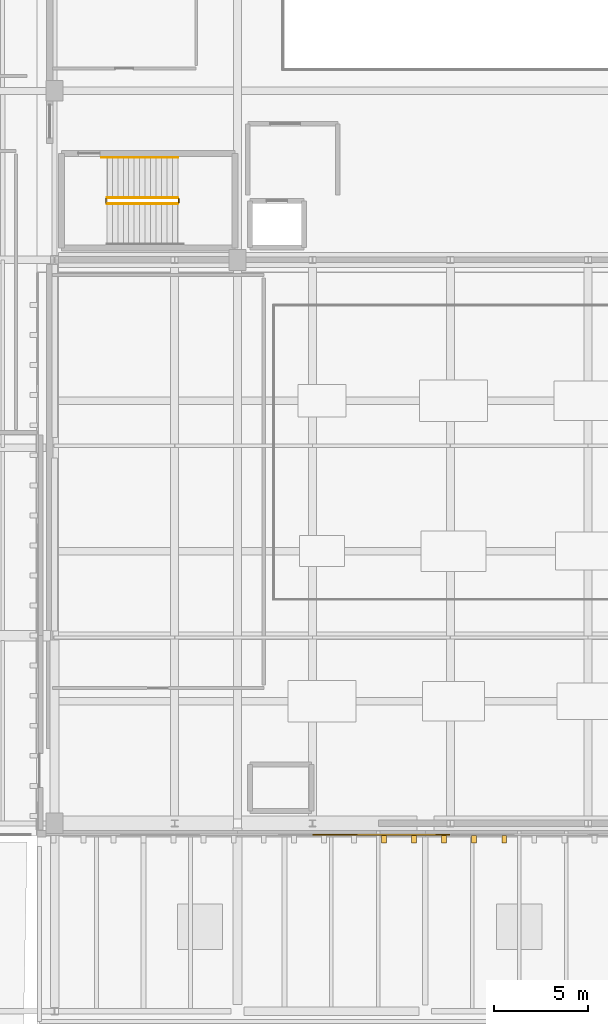
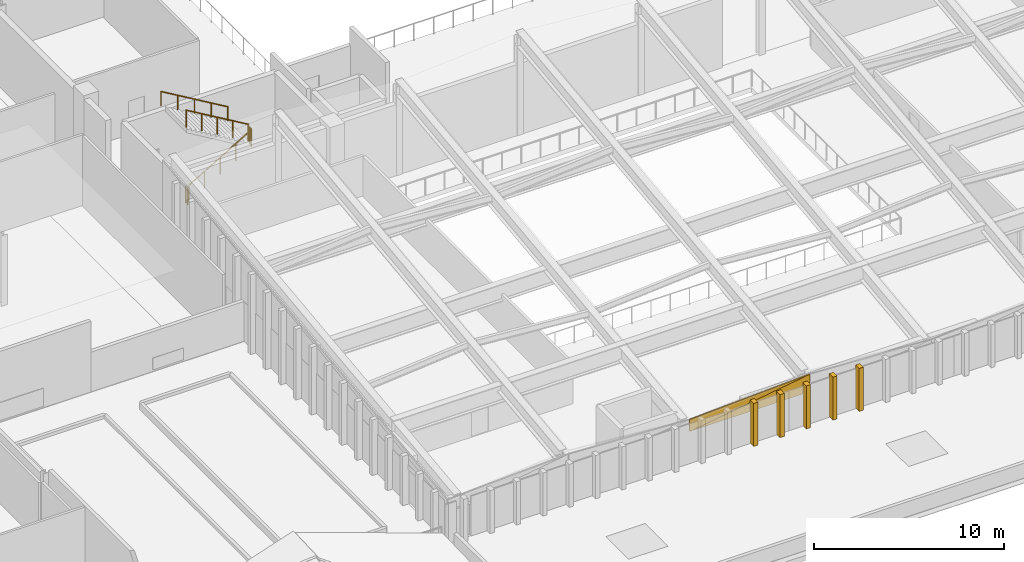
# One storey, part 25 of 30: 7 coverings, 5 railings.
"""IFC4 building model written with IfcOpenShell, lengths in metres."""

from ifc_helpers import new_model, si_unit, direction, frame, origin, origin_2d, place, context, subcontext, project, spatial, polyline, rectangle, circle, outline, extrude, material, layer, layer_set, type_object, element, save


model = new_model("IFC4")

# Units and contexts
model_context = context("Model", 3, precision=1e-05, world=origin(), true_north=direction((0.0, 1.0)))
body_context = subcontext(model_context, "Body", "Model", "MODEL_VIEW")
ifc_project = project(units=[si_unit("LENGTHUNIT", "METRE"), si_unit("AREAUNIT", "SQUARE_METRE"), si_unit("VOLUMEUNIT", "CUBIC_METRE"), si_unit("PLANEANGLEUNIT", "RADIAN"), si_unit("MASSUNIT", "GRAM", prefix="KILO")], contexts=[model_context])

# Site, building, storey
site_placement = place(None, origin())
site = spatial("IfcSite", under=ifc_project, at=site_placement, CompositionType="ELEMENT")
building_placement = place(site_placement, origin())
building = spatial("IfcBuilding", under=site, at=building_placement, Name="Trimount Lyric Opera House", CompositionType="ELEMENT")
storey_placement = place(building_placement, frame((0.0, 0.0, 24.800048828125)))
storey = spatial("IfcBuildingStorey", under=building, at=storey_placement, Name="L05", CompositionType="ELEMENT", Elevation=24.800048828125)

# Coverings
ifc_material_1 = material(Name="Extruded Brushed Aluminium Vertical Shed Rib", Category="aluminium")
ifc_layer_1 = layer(ifc_material_1, 0.260009765625)
ifc_layer_set_1 = layer_set([ifc_layer_1], Name="CLD-RIB1")
covering_type_1 = type_object("IfcCoveringType", Name="CLD-RIB1", PredefinedType="CLADDING", material=ifc_layer_set_1)
for number, where, z_axis, x_axis, name in (
    (1, (81.800048828125, 53.155029296875, 0.0), (0.0, 0.0, 1.0), (1.0, 0.0, 0.0), "Auditorium south vertical cladding rib 176"),
    (2, (83.39990234375, 53.155029296875, 0.0), (0.0, 0.0, 1.0), (1.0, 0.0, 0.0), "Auditorium south vertical cladding rib 181"),
    (3, (85.0, 53.155029296875, 0.0), (0.0, 0.0, 1.0), (1.0, 0.0, 0.0), "Auditorium south vertical cladding rib 186"),
    (4, (86.60009765625, 53.155029296875, 0.0), (0.0, 0.0, 1.0), (1.0, 0.0, 0.0), "Auditorium south vertical cladding rib 191"),
    (5, (88.199951171875, 53.155029296875, 0.0), (0.0, 0.0, 1.0), (1.0, 0.0, 0.0), "Auditorium south vertical cladding rib 196"),
):
    element("IfcCovering", number, at=place(storey_placement, frame(where, z_axis=z_axis, x_axis=x_axis)), inside=storey, type_object=covering_type_1, Name=name, PredefinedType="CLADDING", context=body_context, shape_type="SweptSolid", body=[
        extrude(rectangle(XDim=0.260009765625, YDim=0.3798828125, at=origin_2d()), origin(), (0.0, 0.0, 1.0), 2.760009765625),
    ])
ifc_material_2 = material(Name="Anodised Aluminium Acoustic Shed Cladding", Category="aluminium")
ifc_layer_2 = layer(ifc_material_2, 0.074951171875)
ifc_layer_set_2 = layer_set([ifc_layer_2], Name="CLD-SHED1")
covering_type_2 = type_object("IfcCoveringType", Name="CLD-SHED1", PredefinedType="CLADDING", material=ifc_layer_set_2)
covering_1_placement = place(storey_placement, frame((78.014404296875, 53.360107421875, 2.0), z_axis=(0.0, -1.0, 0.0), x_axis=(1.0, 0.0, 0.0)))
element("IfcCovering", 6, at=covering_1_placement, inside=storey, type_object=covering_type_2, Name="Auditorium L05 south folded eave cladding 3.1", PredefinedType="CLADDING", context=body_context, shape_type="SweptSolid", body=[
    extrude(outline(polyline([(0.0, 0.0), (7.297119140625, 0.0), (7.297119140625, 1.119873046875), (0.0, 0.0)])), origin(), (0.0, 0.0, -1.0), 0.074951171875),
])
covering_2_placement = place(storey_placement, frame((78.014404296875, 53.360107421875, 2.0), z_axis=(0.0, -1.0, 0.0), x_axis=(0.988427829949, 0.0, 0.151691875137)))
element("IfcCovering", 7, at=covering_2_placement, inside=storey, type_object=covering_type_2, Name="Auditorium L05 south folded eave cladding 3.2", PredefinedType="CLADDING", context=body_context, shape_type="SweptSolid", body=[
    extrude(outline(polyline([(0.0, 0.0), (7.382551279442144, 0.0), (0.11376890635288844, 0.7413208724616269), (0.0, 0.0)])), origin(), (0.0, 0.0, -1.0), 0.074951171875),
])

# Railings
ifc_material_3 = material(Name="Brushed Stainless Steel 316", Category="steel")
railing_type_1 = type_object("IfcRailingType", Name="RL-GRD110", PredefinedType="GUARDRAIL", material=ifc_material_3)
railing_1_placement = place(storey_placement, frame((67.050048828125, 87.0, 0.17138671875)))
element("IfcRailing", 8, at=railing_1_placement, inside=storey, type_object=railing_type_1, Name="L05 ST-03 stair guard 1", PredefinedType="GUARDRAIL", context=body_context, shape_type="SweptSolid", body=[
    extrude(circle(Radius=0.02392578125, at=origin_2d()), frame((0.0, 0.0, 1.076171875), z_axis=(0.860848830602, 0.0, 0.508860777473), x_axis=(0.0, 1.0, 0.0)), (0.0, 0.0, 1.0), 4.37939453125),
    extrude(circle(Radius=0.02099609375, at=origin_2d()), origin(), (0.0, 0.0, 1.0), 1.052001953125),
    extrude(circle(Radius=0.02099609375, at=origin_2d()), frame((0.9423828125, 0.0, 0.55712890625)), (0.0, 0.0, 1.0), 1.052001953125),
    extrude(circle(Radius=0.02099609375, at=origin_2d()), frame((1.885009765625, 0.0, 1.1142578125)), (0.0, 0.0, 1.0), 1.052001953125),
    extrude(circle(Radius=0.02099609375, at=origin_2d()), frame((2.82763671875, 0.0, 1.67138671875)), (0.0, 0.0, 1.0), 1.052001953125),
    extrude(circle(Radius=0.02099609375, at=origin_2d()), frame((3.77001953125, 0.0, 2.228515625)), (0.0, 0.0, 1.0), 1.052001953125),
])
railing_2_placement = place(storey_placement, frame((70.8701171875, 87.050048828125, 2.39990234375)))
element("IfcRailing", 9, at=railing_2_placement, inside=storey, type_object=railing_type_1, Name="L05 ST-03 stair guard 2", PredefinedType="GUARDRAIL", context=body_context, shape_type="SweptSolid", body=[
    extrude(circle(Radius=0.02392578125, at=origin_2d()), frame((0.0, 0.0, 1.076171875), z_axis=(0.0, 1.0, 0.0), x_axis=(-1.0, 0.0, 0.0)), (0.0, 0.0, 1.0), 0.199951171875),
    extrude(circle(Radius=0.02099609375, at=origin_2d()), origin(), (0.0, 0.0, 1.0), 1.052001953125),
    extrude(circle(Radius=0.02099609375, at=origin_2d()), frame((0.0, 0.199951171875, 0.0)), (0.0, 0.0, 1.0), 1.052001953125),
])
railing_3_placement = place(storey_placement, frame((70.820068359375, 87.300048828125, 2.5712890625)))
element("IfcRailing", 10, at=railing_3_placement, inside=storey, type_object=railing_type_1, Name="L05 ST-03 stair guard 3", PredefinedType="GUARDRAIL", context=body_context, shape_type="SweptSolid", body=[
    extrude(circle(Radius=0.02392578125, at=origin_2d()), frame((0.0, 0.0, 1.076171875), z_axis=(-0.860824410104, 0.0, 0.508902087802), x_axis=(0.0, -1.0, 0.0)), (0.0, 0.0, 1.0), 4.379638671875),
    extrude(circle(Radius=0.02099609375, at=origin_2d()), origin(), (0.0, 0.0, 1.0), 1.052001953125),
    extrude(circle(Radius=0.02099609375, at=origin_2d()), frame((-0.9423828125, 0.0, 0.55712890625)), (0.0, 0.0, 1.0), 1.052001953125),
    extrude(circle(Radius=0.02099609375, at=origin_2d()), frame((-1.885009765625, 0.0, 1.1142578125)), (0.0, 0.0, 1.0), 1.052001953125),
    extrude(circle(Radius=0.02099609375, at=origin_2d()), frame((-2.82763671875, 0.0, 1.671630859375)), (0.0, 0.0, 1.0), 1.052001953125),
    extrude(circle(Radius=0.02099609375, at=origin_2d()), frame((-3.77001953125, 0.0, 2.228759765625)), (0.0, 0.0, 1.0), 1.052001953125),
])
railing_4_placement = place(storey_placement, frame((67.0, 87.050048828125, 0.0)))
element("IfcRailing", 11, at=railing_4_placement, inside=storey, type_object=railing_type_1, Name="L05 ST-03 stair guard 4", PredefinedType="GUARDRAIL", context=body_context, shape_type="SweptSolid", body=[
    extrude(circle(Radius=0.02392578125, at=origin_2d()), frame((0.0, 0.0, 1.076171875), z_axis=(0.0, 1.0, 0.0), x_axis=(-1.0, 0.0, 0.0)), (0.0, 0.0, 1.0), 0.199951171875),
    extrude(circle(Radius=0.02099609375, at=origin_2d()), origin(), (0.0, 0.0, 1.0), 1.052001953125),
    extrude(circle(Radius=0.02099609375, at=origin_2d()), frame((0.0, 0.199951171875, 0.0)), (0.0, 0.0, 1.0), 1.052001953125),
])
ifc_material_4 = material(Name="Brushed Stainless Steel 316", Category="steel")
railing_type_2 = type_object("IfcRailingType", Name="RL-HND092", PredefinedType="HANDRAIL", material=ifc_material_4)
railing_5_placement = place(storey_placement, frame((70.820068359375, 89.449951171875, 2.5712890625)))
element("IfcRailing", 12, at=railing_5_placement, inside=storey, type_object=railing_type_2, Name="L05 ST-03 stair handrail 2", PredefinedType="HANDRAIL", context=body_context, shape_type="SweptSolid", body=[
    extrude(circle(Radius=0.0224609375, at=origin_2d()), frame((0.0, 0.0, 0.8974609375), z_axis=(-0.860536873083, 0.0, 0.509388152654), x_axis=(0.0, -1.0, 0.0)), (0.0, 0.0, 1.0), 4.718017578125),
    extrude(circle(Radius=0.02099609375, at=origin_2d()), origin(), (0.0, 0.0, 1.0), 0.875),
    extrude(circle(Radius=0.02099609375, at=origin_2d()), frame((-1.01513671875, 0.0, 0.600830078125)), (0.0, 0.0, 1.0), 0.875),
    extrude(circle(Radius=0.02099609375, at=origin_2d()), frame((-2.030029296875, 0.0, 1.20166015625)), (0.0, 0.0, 1.0), 0.875),
    extrude(circle(Radius=0.02099609375, at=origin_2d()), frame((-3.044921875, 0.0, 1.802490234375)), (0.0, 0.0, 1.0), 0.875),
    extrude(circle(Radius=0.02099609375, at=origin_2d()), frame((-4.06005859375, 0.0, 2.4033203125)), (0.0, 0.0, 1.0), 0.875),
])

save(model, "model.ifc")
